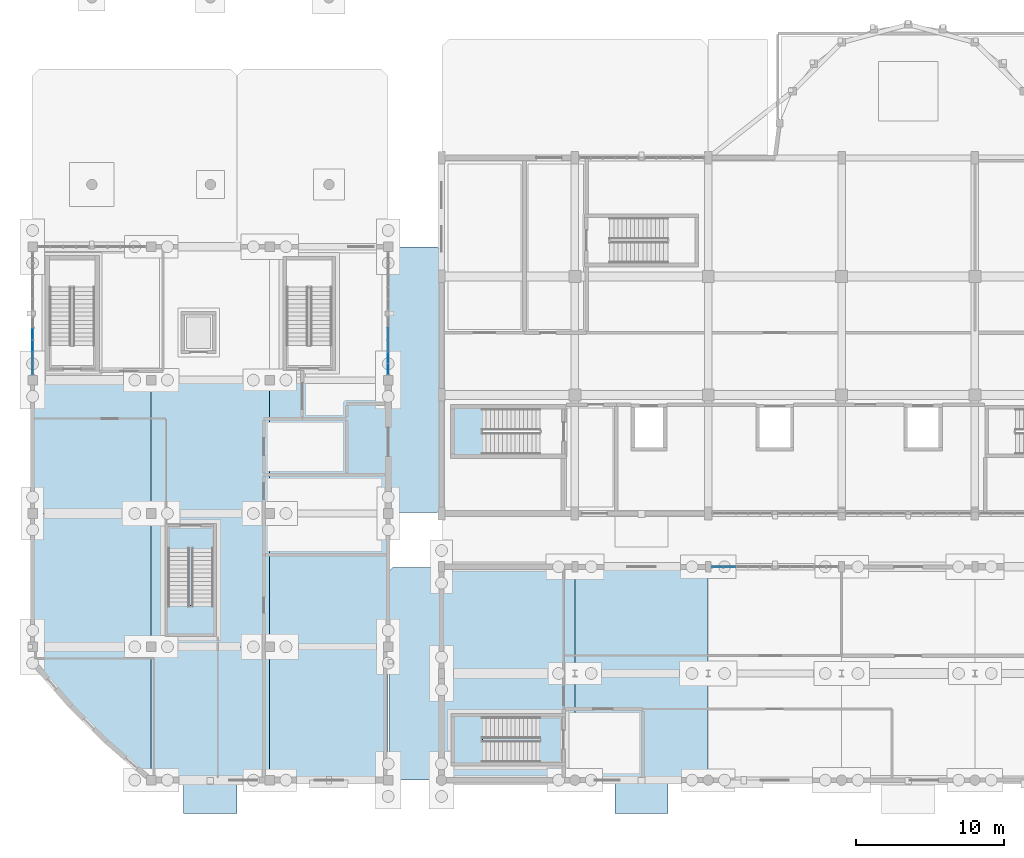
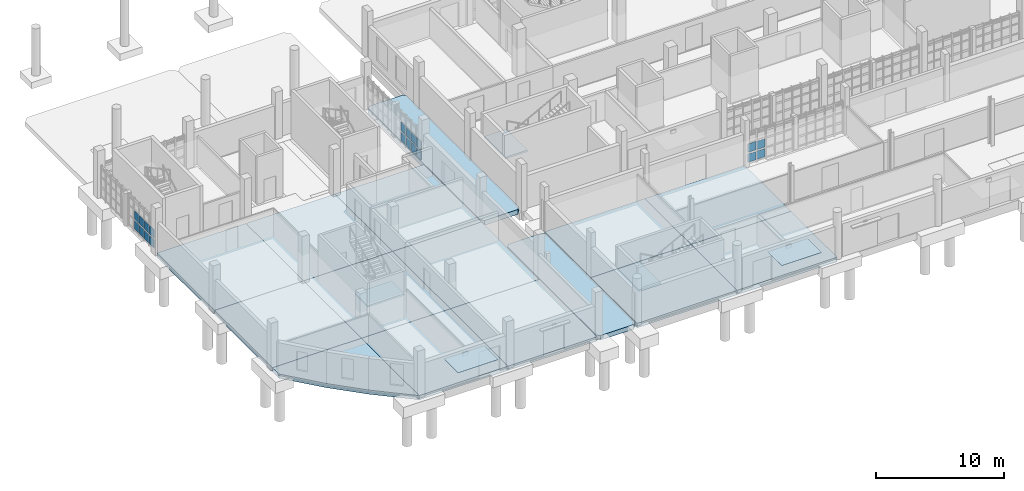
# One storey, part 29 of 63: 22 plates, 18 slabs, 6 elements without a shape of their own.
"""IFC4 building model written with IfcOpenShell, lengths in metres."""

from ifc_helpers import new_model, si_unit, direction, frame, origin, origin_2d, place, context, subcontext, project, spatial, polyline, rectangle, outline, extrude, material, layer, layer_set, type_object, element, aggregate, save


model = new_model("IFC4")

# Units and contexts
model_context = context("Model", 3, precision=1e-05, world=origin(), true_north=direction((0.0, 1.0)))
body_context = subcontext(model_context, "Body", "Model", "MODEL_VIEW")
ifc_project = project(units=[si_unit("LENGTHUNIT", "METRE"), si_unit("AREAUNIT", "SQUARE_METRE"), si_unit("VOLUMEUNIT", "CUBIC_METRE"), si_unit("PLANEANGLEUNIT", "RADIAN"), si_unit("MASSUNIT", "GRAM", prefix="KILO")], contexts=[model_context])

# Site, building, storey
site_placement = place(None, origin())
site = spatial("IfcSite", under=ifc_project, at=site_placement, CompositionType="ELEMENT")
building_placement = place(site_placement, origin())
building = spatial("IfcBuilding", under=site, at=building_placement, Name="Serraforn Aerial Cableway Station", CompositionType="ELEMENT")
storey_placement = place(building_placement, origin())
storey = spatial("IfcBuildingStorey", under=building, at=storey_placement, Name="L00", CompositionType="ELEMENT", Elevation=0.0)

# Plates
ifc_material_1 = material(Name="Patinated bronze entrance canopy soffit")
ifc_layer_1 = layer(ifc_material_1, 0.035888671875)
ifc_layer_set_1 = layer_set([ifc_layer_1], Name="Patinated bronze entrance canopy soffit")
plate_type_1 = type_object("IfcPlateType", Name="CAN-BRONZE", PredefinedType="USERDEFINED", material=ifc_layer_set_1)
for number, where, z_axis, x_axis, name in (
    (1, (12.0, -1.159912109375, 2.73193359375), (0.0, 0.0, 1.0), (1.0, 0.0, 0.0), "Bronze Art Deco Entrance Canopy 01"),
    (2, (41.10009765625, -1.159912109375, 2.73193359375), (0.0, 0.0, 1.0), (1.0, 0.0, 0.0), "Bronze Art Deco Entrance Canopy 02"),
):
    element("IfcPlate", number, at=place(storey_placement, frame(where, z_axis=z_axis, x_axis=x_axis)), inside=storey, type_object=plate_type_1, Name=name, ObjectType="CANOPY PANEL", PredefinedType="USERDEFINED", context=body_context, shape_type="SweptSolid", body=[
        extrude(rectangle(XDim=3.60009765625, YDim=2.199951171875, at=origin_2d()), origin(), (0.0, 0.0, 1.0), 0.035888671875),
    ])

# Curtain wall, plate
ifc_material_2 = material(Name="Anodised bronze unitised curtain wall")
curtain_wall_type_1 = type_object("IfcCurtainWallType", Name="CW-SYS-8", PredefinedType="USERDEFINED", material=ifc_material_2)
curtain_wall_1_placement = place(storey_placement, origin())
curtain_wall_1 = element("IfcCurtainWall", 3, at=curtain_wall_1_placement, inside=storey, type_object=curtain_wall_type_1, Name="Unitised Curtain Wall CW-W-L00-W4B", ObjectType="UNITISED CURTAIN WALL", PredefinedType="USERDEFINED")
ifc_material_3 = material(Name="Solar-control low-E double glazing", Category="glass")
ifc_layer_2 = layer(ifc_material_3, 0.028076171875)
ifc_layer_set_2 = layer_set([ifc_layer_2], Name="Solar-control low-E double glazing")
plate_type_2 = type_object("IfcPlateType", Name="CW-GLZ-2", PredefinedType="CURTAIN_PANEL", material=ifc_layer_set_2)
plate_1_placement = place(storey_placement, frame((0.0, 30.115966796875, 0.177734375), z_axis=(0.0, 0.0, 1.0), x_axis=(1.0, 0.0, 0.0)))
plate_1 = element("IfcPlate", 4, at=plate_1_placement, type_object=plate_type_2, Name="Curtain Wall Panel CW-W-L00-W4B-P2-1", PredefinedType="CURTAIN_PANEL", context=body_context, shape_type="SweptSolid", body=[
    extrude(rectangle(XDim=0.028076171875, YDim=0.73828125, at=origin_2d()), origin(), (0.0, 0.0, 1.0), 0.824951171875),
])

curtain_wall_type_2 = type_object("IfcCurtainWallType", Name="CW-SYS-9", PredefinedType="USERDEFINED", material=ifc_material_2)
curtain_wall_2_placement = place(storey_placement, origin())
curtain_wall_2 = element("IfcCurtainWall", 5, at=curtain_wall_2_placement, inside=storey, type_object=curtain_wall_type_2, Name="Unitised Curtain Wall CW-W-L00-E4A", ObjectType="UNITISED CURTAIN WALL", PredefinedType="USERDEFINED")
plate_2_placement = place(storey_placement, frame((24.0, 27.746337890625, 0.177734375), z_axis=(0.0, 0.0, 1.0), x_axis=(1.0, 0.0, 0.0)))
plate_2 = element("IfcPlate", 6, at=plate_2_placement, type_object=plate_type_2, Name="Curtain Wall Panel CW-W-L00-E4A-P1-1", PredefinedType="CURTAIN_PANEL", context=body_context, shape_type="SweptSolid", body=[
    extrude(rectangle(XDim=0.028076171875, YDim=0.700927734375, at=origin_2d()), origin(), (0.0, 0.0, 1.0), 0.824951171875),
])

# Plate
ifc_layer_3 = layer(ifc_material_3, 0.030029296875)
ifc_layer_set_3 = layer_set([ifc_layer_3], Name="Solar-control low-E double glazing")
plate_type_3 = type_object("IfcPlateType", Name="CW-GLZ-3", PredefinedType="CURTAIN_PANEL", material=ifc_layer_set_3)
plate_3_placement = place(storey_placement, frame((0.0, 30.115966796875, 1.118896484375), z_axis=(0.0, 0.0, 1.0), x_axis=(1.0, 0.0, 0.0)))
plate_3 = element("IfcPlate", 7, at=plate_3_placement, type_object=plate_type_3, Name="Curtain Wall Panel CW-W-L00-W4B-P2-2", PredefinedType="CURTAIN_PANEL", context=body_context, shape_type="SweptSolid", body=[
    extrude(rectangle(XDim=0.030029296875, YDim=0.73828125, at=origin_2d()), origin(), (0.0, 0.0, 1.0), 0.8125),
])

plate_4_placement = place(storey_placement, frame((0.0, 29.32275390625, 0.182861328125), z_axis=(0.0, 0.0, 1.0), x_axis=(1.0, 0.0, 0.0)))
plate_4 = element("IfcPlate", 8, at=plate_4_placement, type_object=plate_type_3, Name="Curtain Wall Panel CW-W-L00-W4B-P3-1", PredefinedType="CURTAIN_PANEL", context=body_context, shape_type="SweptSolid", body=[
    extrude(rectangle(XDim=0.030029296875, YDim=0.745849609375, at=origin_2d()), origin(), (0.0, 0.0, 1.0), 0.8125),
])

plate_5_placement = place(storey_placement, frame((24.0, 27.746337890625, 1.118896484375), z_axis=(0.0, 0.0, 1.0), x_axis=(1.0, 0.0, 0.0)))
plate_5 = element("IfcPlate", 9, at=plate_5_placement, type_object=plate_type_3, Name="Curtain Wall Panel CW-W-L00-E4A-P1-2", PredefinedType="CURTAIN_PANEL", context=body_context, shape_type="SweptSolid", body=[
    extrude(rectangle(XDim=0.030029296875, YDim=0.700927734375, at=origin_2d()), origin(), (0.0, 0.0, 1.0), 0.8125),
])

plate_6_placement = place(storey_placement, frame((24.0, 28.520751953125, 0.182861328125), z_axis=(0.0, 0.0, 1.0), x_axis=(1.0, 0.0, 0.0)))
plate_6 = element("IfcPlate", 10, at=plate_6_placement, type_object=plate_type_3, Name="Curtain Wall Panel CW-W-L00-E4A-P2-1", PredefinedType="CURTAIN_PANEL", context=body_context, shape_type="SweptSolid", body=[
    extrude(rectangle(XDim=0.030029296875, YDim=0.745849609375, at=origin_2d()), origin(), (0.0, 0.0, 1.0), 0.8125),
])

ifc_layer_4 = layer(ifc_material_3, 0.031982421875)
ifc_layer_set_4 = layer_set([ifc_layer_4], Name="Solar-control low-E double glazing")
plate_type_4 = type_object("IfcPlateType", Name="CW-GLZ-4", PredefinedType="CURTAIN_PANEL", material=ifc_layer_set_4)
plate_7_placement = place(storey_placement, frame((0.0, 29.32275390625, 1.1259765625), z_axis=(0.0, 0.0, 1.0), x_axis=(1.0, 0.0, 0.0)))
plate_7 = element("IfcPlate", 11, at=plate_7_placement, type_object=plate_type_4, Name="Curtain Wall Panel CW-W-L00-W4B-P3-2", PredefinedType="CURTAIN_PANEL", context=body_context, shape_type="SweptSolid", body=[
    extrude(rectangle(XDim=0.031982421875, YDim=0.745849609375, at=origin_2d()), origin(), (0.0, 0.0, 1.0), 0.797607421875),
])

plate_8_placement = place(storey_placement, frame((0.0, 28.5234375, 0.1904296875), z_axis=(0.0, 0.0, 1.0), x_axis=(1.0, 0.0, 0.0)))
plate_8 = element("IfcPlate", 12, at=plate_8_placement, type_object=plate_type_4, Name="Curtain Wall Panel CW-W-L00-W4B-P4-1", PredefinedType="CURTAIN_PANEL", context=body_context, shape_type="SweptSolid", body=[
    extrude(rectangle(XDim=0.031982421875, YDim=0.740966796875, at=origin_2d()), origin(), (0.0, 0.0, 1.0), 0.797607421875),
])

plate_9_placement = place(storey_placement, frame((24.0, 28.520751953125, 1.1259765625), z_axis=(0.0, 0.0, 1.0), x_axis=(1.0, 0.0, 0.0)))
plate_9 = element("IfcPlate", 13, at=plate_9_placement, type_object=plate_type_4, Name="Curtain Wall Panel CW-W-L00-E4A-P2-2", PredefinedType="CURTAIN_PANEL", context=body_context, shape_type="SweptSolid", body=[
    extrude(rectangle(XDim=0.031982421875, YDim=0.745849609375, at=origin_2d()), origin(), (0.0, 0.0, 1.0), 0.797607421875),
])

plate_10_placement = place(storey_placement, frame((24.0, 29.3203125, 0.1904296875), z_axis=(0.0, 0.0, 1.0), x_axis=(1.0, 0.0, 0.0)))
plate_10 = element("IfcPlate", 14, at=plate_10_placement, type_object=plate_type_4, Name="Curtain Wall Panel CW-W-L00-E4A-P3-1", PredefinedType="CURTAIN_PANEL", context=body_context, shape_type="SweptSolid", body=[
    extrude(rectangle(XDim=0.031982421875, YDim=0.740966796875, at=origin_2d()), origin(), (0.0, 0.0, 1.0), 0.797607421875),
])

# Curtain wall, plate
curtain_wall_type_3 = type_object("IfcCurtainWallType", Name="CW-SYS-20", PredefinedType="USERDEFINED", material=ifc_material_2)
curtain_wall_3_placement = place(storey_placement, origin())
curtain_wall_3 = element("IfcCurtainWall", 15, at=curtain_wall_3_placement, inside=storey, type_object=curtain_wall_type_3, Name="Unitised Curtain Wall CW-CF-L00-N3B", ObjectType="UNITISED CURTAIN WALL", PredefinedType="USERDEFINED")
plate_11_placement = place(storey_placement, frame((47.035888671875, 14.39990234375, 0.1904296875), z_axis=(0.0, 0.0, 1.0), x_axis=(1.0, 0.0, 0.0)))
plate_11 = element("IfcPlate", 16, at=plate_11_placement, type_object=plate_type_4, Name="Curtain Wall Panel CW-CF-L00-N3B-P4-1", PredefinedType="CURTAIN_PANEL", context=body_context, shape_type="SweptSolid", body=[
    extrude(rectangle(XDim=0.765869140625, YDim=0.031982421875, at=origin_2d()), origin(), (0.0, 0.0, 1.0), 0.797607421875),
])

# Plate
ifc_layer_5 = layer(ifc_material_3, 0.033935546875)
ifc_layer_set_5 = layer_set([ifc_layer_5], Name="Solar-control low-E double glazing")
plate_type_5 = type_object("IfcPlateType", Name="CW-GLZ-5", PredefinedType="CURTAIN_PANEL", material=ifc_layer_set_5)
plate_12_placement = place(storey_placement, frame((0.0, 28.5234375, 1.1337890625), z_axis=(0.0, 0.0, 1.0), x_axis=(1.0, 0.0, 0.0)))
plate_12 = element("IfcPlate", 17, at=plate_12_placement, type_object=plate_type_5, Name="Curtain Wall Panel CW-W-L00-W4B-P4-2", PredefinedType="CURTAIN_PANEL", context=body_context, shape_type="SweptSolid", body=[
    extrude(rectangle(XDim=0.033935546875, YDim=0.740966796875, at=origin_2d()), origin(), (0.0, 0.0, 1.0), 0.782470703125),
])

plate_13_placement = place(storey_placement, frame((0.0, 27.741455078125, 0.19775390625), z_axis=(0.0, 0.0, 1.0), x_axis=(1.0, 0.0, 0.0)))
plate_13 = element("IfcPlate", 18, at=plate_13_placement, type_object=plate_type_5, Name="Curtain Wall Panel CW-W-L00-W4B-P5-1", PredefinedType="CURTAIN_PANEL", context=body_context, shape_type="SweptSolid", body=[
    extrude(rectangle(XDim=0.033935546875, YDim=0.700927734375, at=origin_2d()), origin(), (0.0, 0.0, 1.0), 0.782470703125),
])

plate_14_placement = place(storey_placement, frame((24.0, 29.3203125, 1.1337890625), z_axis=(0.0, 0.0, 1.0), x_axis=(1.0, 0.0, 0.0)))
plate_14 = element("IfcPlate", 19, at=plate_14_placement, type_object=plate_type_5, Name="Curtain Wall Panel CW-W-L00-E4A-P3-2", PredefinedType="CURTAIN_PANEL", context=body_context, shape_type="SweptSolid", body=[
    extrude(rectangle(XDim=0.033935546875, YDim=0.740966796875, at=origin_2d()), origin(), (0.0, 0.0, 1.0), 0.782470703125),
])

plate_15_placement = place(storey_placement, frame((24.0, 30.11962890625, 0.19775390625), z_axis=(0.0, 0.0, 1.0), x_axis=(1.0, 0.0, 0.0)))
plate_15 = element("IfcPlate", 20, at=plate_15_placement, type_object=plate_type_5, Name="Curtain Wall Panel CW-W-L00-E4A-P4-1", PredefinedType="CURTAIN_PANEL", context=body_context, shape_type="SweptSolid", body=[
    extrude(rectangle(XDim=0.033935546875, YDim=0.73583984375, at=origin_2d()), origin(), (0.0, 0.0, 1.0), 0.782470703125),
])

plate_16_placement = place(storey_placement, frame((47.035888671875, 14.39990234375, 1.1337890625), z_axis=(0.0, 0.0, 1.0), x_axis=(1.0, 0.0, 0.0)))
plate_16 = element("IfcPlate", 21, at=plate_16_placement, type_object=plate_type_5, Name="Curtain Wall Panel CW-CF-L00-N3B-P4-2", PredefinedType="CURTAIN_PANEL", context=body_context, shape_type="SweptSolid", body=[
    extrude(rectangle(XDim=0.765869140625, YDim=0.033935546875, at=origin_2d()), origin(), (0.0, 0.0, 1.0), 0.782470703125),
])

plate_17_placement = place(storey_placement, frame((46.22900390625, 14.39990234375, 0.19775390625), z_axis=(0.0, 0.0, 1.0), x_axis=(1.0, 0.0, 0.0)))
plate_17 = element("IfcPlate", 22, at=plate_17_placement, type_object=plate_type_5, Name="Curtain Wall Panel CW-CF-L00-N3B-P5-1", PredefinedType="CURTAIN_PANEL", context=body_context, shape_type="SweptSolid", body=[
    extrude(rectangle(XDim=0.725830078125, YDim=0.033935546875, at=origin_2d()), origin(), (0.0, 0.0, 1.0), 0.782470703125),
])

ifc_layer_6 = layer(ifc_material_3, 0.035888671875)
ifc_layer_set_6 = layer_set([ifc_layer_6], Name="Solar-control low-E double glazing")
plate_type_6 = type_object("IfcPlateType", Name="CW-GLZ-6", PredefinedType="CURTAIN_PANEL", material=ifc_layer_set_6)
plate_18_placement = place(storey_placement, frame((0.0, 27.741455078125, 1.14111328125), z_axis=(0.0, 0.0, 1.0), x_axis=(1.0, 0.0, 0.0)))
plate_18 = element("IfcPlate", 23, at=plate_18_placement, type_object=plate_type_6, Name="Curtain Wall Panel CW-W-L00-W4B-P5-2", PredefinedType="CURTAIN_PANEL", context=body_context, shape_type="SweptSolid", body=[
    extrude(rectangle(XDim=0.035888671875, YDim=0.700927734375, at=origin_2d()), origin(), (0.0, 0.0, 1.0), 0.802490234375),
])

aggregate(curtain_wall_1, [plate_1, plate_3, plate_4, plate_7, plate_8, plate_12, plate_13, plate_18])

plate_19_placement = place(storey_placement, frame((24.0, 30.11962890625, 1.14111328125), z_axis=(0.0, 0.0, 1.0), x_axis=(1.0, 0.0, 0.0)))
plate_19 = element("IfcPlate", 24, at=plate_19_placement, type_object=plate_type_6, Name="Curtain Wall Panel CW-W-L00-E4A-P4-2", PredefinedType="CURTAIN_PANEL", context=body_context, shape_type="SweptSolid", body=[
    extrude(rectangle(XDim=0.035888671875, YDim=0.73583984375, at=origin_2d()), origin(), (0.0, 0.0, 1.0), 0.802490234375),
])

aggregate(curtain_wall_2, [plate_2, plate_5, plate_6, plate_9, plate_10, plate_14, plate_15, plate_19])

plate_20_placement = place(storey_placement, frame((46.22900390625, 14.39990234375, 1.14111328125), z_axis=(0.0, 0.0, 1.0), x_axis=(1.0, 0.0, 0.0)))
plate_20 = element("IfcPlate", 25, at=plate_20_placement, type_object=plate_type_6, Name="Curtain Wall Panel CW-CF-L00-N3B-P5-2", PredefinedType="CURTAIN_PANEL", context=body_context, shape_type="SweptSolid", body=[
    extrude(rectangle(XDim=0.725830078125, YDim=0.035888671875, at=origin_2d()), origin(), (0.0, 0.0, 1.0), 0.802490234375),
])

aggregate(curtain_wall_3, [plate_11, plate_16, plate_17, plate_20])

# Slabs
ifc_material_4 = material(Name="Concrete C35/45", Category="concrete")
ifc_layer_7 = layer(ifc_material_4, 0.39990234375)
ifc_layer_set_7 = layer_set([ifc_layer_7], Name="Concrete C35/45")
slab_type_1 = type_object("IfcSlabType", Name="SLB-BASE-400", PredefinedType="BASESLAB", material=ifc_layer_set_7)
slab_1_placement = place(storey_placement, frame((0.0, 0.0, -0.39990234375)))
element("IfcSlab", 26, at=slab_1_placement, inside=storey, type_object=slab_type_1, Name="Floor Slab W-L00-1-1", PredefinedType="BASESLAB", context=body_context, shape_type="SweptSolid", body=[
    extrude(outline(polyline([(8.0, 0.0), (8.0, 0.0), (8.0, 9.0), (0.0, 9.0), (0.0, 8.0), (2.60009765625, 5.0), (5.0, 2.60009765625), (8.0, 0.0)])), origin(), (0.0, 0.0, 1.0), 0.39990234375),
])
slab_2_placement = place(storey_placement, frame((0.0, 0.0, -0.39990234375)))
element("IfcSlab", 27, at=slab_2_placement, inside=storey, type_object=slab_type_1, Name="Floor Slab W-L00-1-2", PredefinedType="BASESLAB", context=body_context, shape_type="SweptSolid", body=[
    extrude(outline(polyline([(0.0, 9.0), (8.0, 9.0), (8.0, 18.0), (0.0, 18.0), (0.0, 9.0)])), origin(), (0.0, 0.0, 1.0), 0.39990234375),
])
slab_3_placement = place(storey_placement, frame((0.0, 0.0, -0.39990234375)))
element("IfcSlab", 28, at=slab_3_placement, inside=storey, type_object=slab_type_1, Name="Floor Slab W-L00-1-3", PredefinedType="BASESLAB", context=body_context, shape_type="SweptSolid", body=[
    extrude(outline(polyline([(0.0, 18.0), (8.0, 18.0), (8.0, 27.0), (0.0, 27.0), (0.0, 18.0)])), origin(), (0.0, 0.0, 1.0), 0.39990234375),
])
slab_4_placement = place(storey_placement, frame((0.0, 0.0, -0.39990234375)))
element("IfcSlab", 29, at=slab_4_placement, inside=storey, type_object=slab_type_1, Name="Floor Slab W-L00-2-1", PredefinedType="BASESLAB", context=body_context, shape_type="SweptSolid", body=[
    extrude(outline(polyline([(8.0, 0.0), (16.0, 0.0), (16.0, 9.0), (8.0, 9.0), (8.0, 0.0)])), origin(), (0.0, 0.0, 1.0), 0.39990234375),
])
slab_5_placement = place(storey_placement, frame((0.0, 0.0, -0.39990234375)))
element("IfcSlab", 30, at=slab_5_placement, inside=storey, type_object=slab_type_1, Name="Floor Slab W-L00-2-2", PredefinedType="BASESLAB", context=body_context, shape_type="SweptSolid", body=[
    extrude(outline(polyline([(8.0, 9.0), (16.0, 9.0), (16.0, 18.0), (8.0, 18.0), (8.0, 9.0)])), origin(), (0.0, 0.0, 1.0), 0.39990234375),
])
slab_6_placement = place(storey_placement, frame((0.0, 0.0, -0.39990234375)))
element("IfcSlab", 31, at=slab_6_placement, inside=storey, type_object=slab_type_1, Name="Floor Slab W-L00-2-3", PredefinedType="BASESLAB", context=body_context, shape_type="SweptSolid", body=[
    extrude(outline(polyline([(8.0, 18.0), (16.0, 18.0), (16.0, 27.0), (8.0, 27.0), (8.0, 18.0)])), origin(), (0.0, 0.0, 1.0), 0.39990234375),
])
slab_7_placement = place(storey_placement, frame((0.0, 0.0, -0.39990234375)))
element("IfcSlab", 32, at=slab_7_placement, inside=storey, type_object=slab_type_1, Name="Floor Slab W-L00-3-1", PredefinedType="BASESLAB", context=body_context, shape_type="SweptSolid", body=[
    extrude(outline(polyline([(16.0, 0.0), (24.0, 0.0), (24.0, 9.0), (16.0, 9.0), (16.0, 0.0)])), origin(), (0.0, 0.0, 1.0), 0.39990234375),
])
slab_8_placement = place(storey_placement, frame((0.0, 0.0, -0.39990234375)))
element("IfcSlab", 33, at=slab_8_placement, inside=storey, type_object=slab_type_1, Name="Floor Slab W-L00-3-2", PredefinedType="BASESLAB", context=body_context, shape_type="SweptSolid", body=[
    extrude(outline(polyline([(16.0, 9.0), (24.0, 9.0), (24.0, 18.0), (16.0, 18.0), (16.0, 9.0)])), origin(), (0.0, 0.0, 1.0), 0.39990234375),
])
slab_9_placement = place(storey_placement, frame((0.0, 0.0, -0.39990234375)))
element("IfcSlab", 34, at=slab_9_placement, inside=storey, type_object=slab_type_1, Name="Floor Slab W-L00-3-3", PredefinedType="BASESLAB", context=body_context, shape_type="SweptSolid", body=[
    extrude(outline(polyline([(16.0, 18.0), (24.0, 18.0), (24.0, 27.0), (16.0, 27.0), (16.0, 18.0)])), origin(), (0.0, 0.0, 1.0), 0.39990234375),
])
ifc_layer_8 = layer(ifc_material_4, 0.419921875)
ifc_layer_set_8 = layer_set([ifc_layer_8], Name="Concrete C35/45")
slab_type_2 = type_object("IfcSlabType", Name="SLB-BASE-420", PredefinedType="BASESLAB", material=ifc_layer_set_8)
slab_10_placement = place(storey_placement, frame((0.0, 0.0, -0.419921875)))
element("IfcSlab", 35, at=slab_10_placement, inside=storey, type_object=slab_type_2, Name="Floor Slab CF-L00-1-1", PredefinedType="BASESLAB", context=body_context, shape_type="SweptSolid", body=[
    extrude(outline(polyline([(27.60009765625, 0.0), (36.60009765625, 0.0), (36.60009765625, 7.199951171875), (27.60009765625, 7.199951171875), (27.60009765625, 0.0)])), origin(), (0.0, 0.0, 1.0), 0.419921875),
])
slab_11_placement = place(storey_placement, frame((0.0, 0.0, -0.419921875)))
element("IfcSlab", 36, at=slab_11_placement, inside=storey, type_object=slab_type_2, Name="Floor Slab CF-L00-1-2", PredefinedType="BASESLAB", context=body_context, shape_type="SweptSolid", body=[
    extrude(outline(polyline([(27.60009765625, 7.199951171875), (36.60009765625, 7.199951171875), (36.60009765625, 14.39990234375), (27.60009765625, 14.39990234375), (27.60009765625, 7.199951171875)])), origin(), (0.0, 0.0, 1.0), 0.419921875),
])
slab_12_placement = place(storey_placement, frame((0.0, 0.0, -0.419921875)))
element("IfcSlab", 37, at=slab_12_placement, inside=storey, type_object=slab_type_2, Name="Floor Slab CF-L00-2-1", PredefinedType="BASESLAB", context=body_context, shape_type="SweptSolid", body=[
    extrude(outline(polyline([(36.60009765625, 0.0), (45.60009765625, 0.0), (45.60009765625, 7.199951171875), (36.60009765625, 7.199951171875), (36.60009765625, 0.0)])), origin(), (0.0, 0.0, 1.0), 0.419921875),
])
slab_13_placement = place(storey_placement, frame((0.0, 0.0, -0.419921875)))
element("IfcSlab", 38, at=slab_13_placement, inside=storey, type_object=slab_type_2, Name="Floor Slab CF-L00-2-2", PredefinedType="BASESLAB", context=body_context, shape_type="SweptSolid", body=[
    extrude(outline(polyline([(36.60009765625, 7.199951171875), (45.60009765625, 7.199951171875), (45.60009765625, 14.39990234375), (36.60009765625, 14.39990234375), (36.60009765625, 7.199951171875)])), origin(), (0.0, 0.0, 1.0), 0.419921875),
])

# Stair, slab
stair_type_1 = type_object("IfcStairType", Name="STR-DL-3", PredefinedType="HALF_TURN_STAIR", material=ifc_material_4)
stair_1_placement = place(storey_placement, origin())
stair_1 = element("IfcStair", 39, at=stair_1_placement, inside=storey, type_object=stair_type_1, Name="L00 West Wing South Concourse Stair 12", PredefinedType="HALF_TURN_STAIR")
ifc_layer_9 = layer(ifc_material_4, 0.159912109375)
ifc_layer_set_9 = layer_set([ifc_layer_9], Name="Concrete C35/45")
slab_type_3 = type_object("IfcSlabType", Name="SLB-LND-160", PredefinedType="LANDING", material=ifc_layer_set_9)
slab_14_placement = place(storey_placement, frame((0.0, 0.0, 2.090087890625)))
slab_14 = element("IfcSlab", 40, at=slab_14_placement, type_object=slab_type_3, Name="ST-12 landing 1", PredefinedType="LANDING", context=body_context, shape_type="SweptSolid", body=[
    extrude(outline(polyline([(9.02001953125, 11.780029296875), (9.02001953125, 9.780029296875), (12.320068359375, 9.780029296875), (12.320068359375, 11.780029296875), (9.02001953125, 11.780029296875)])), origin(), (0.0, 0.0, 1.0), 0.159912109375),
])
aggregate(stair_1, [slab_14])

stair_type_2 = type_object("IfcStairType", Name="STR-DL-1", PredefinedType="HALF_TURN_STAIR", material=ifc_material_4)
stair_2_placement = place(storey_placement, origin())
stair_2 = element("IfcStair", 41, at=stair_2_placement, inside=storey, type_object=stair_type_2, Name="L00 Vault West Protected Exit Stair 3", PredefinedType="HALF_TURN_STAIR")
slab_15_placement = place(storey_placement, frame((0.0, 0.0, 2.090087890625)))
slab_15 = element("IfcSlab", 42, at=slab_15_placement, type_object=slab_type_3, Name="ST-03 landing 1", PredefinedType="LANDING", context=body_context, shape_type="SweptSolid", body=[
    extrude(outline(polyline([(30.3798828125, 25.179931640625), (28.3798828125, 25.179931640625), (28.3798828125, 21.8798828125), (30.3798828125, 21.8798828125), (30.3798828125, 25.179931640625)])), origin(), (0.0, 0.0, 1.0), 0.159912109375),
])
aggregate(stair_2, [slab_15])

stair_type_3 = type_object("IfcStairType", Name="STR-DL-2", PredefinedType="HALF_TURN_STAIR", material=ifc_material_4)
stair_3_placement = place(storey_placement, origin())
stair_3 = element("IfcStair", 43, at=stair_3_placement, inside=storey, type_object=stair_type_3, Name="L00 Ticket Concourse Grand Stair 6", PredefinedType="HALF_TURN_STAIR")
slab_16_placement = place(storey_placement, frame((0.0, 0.0, 2.090087890625)))
slab_16 = element("IfcSlab", 44, at=slab_16_placement, type_object=slab_type_3, Name="ST-06 landing 1", PredefinedType="LANDING", context=body_context, shape_type="SweptSolid", body=[
    extrude(outline(polyline([(30.3798828125, 4.3798828125), (28.3798828125, 4.3798828125), (28.3798828125, 1.080078125), (30.3798828125, 1.080078125), (30.3798828125, 4.3798828125)])), origin(), (0.0, 0.0, 1.0), 0.159912109375),
])
aggregate(stair_3, [slab_16])

# Slabs
ifc_layer_10 = layer(ifc_material_4, 0.43505859375)
ifc_layer_set_10 = layer_set([ifc_layer_10], Name="Concrete C35/45")
slab_type_4 = type_object("IfcSlabType", Name="SLB-PLZ-435", PredefinedType="FLOOR", material=ifc_layer_set_10)
slab_17_placement = place(storey_placement, frame((0.0, 0.0, -0.43505859375)))
element("IfcSlab", 45, at=slab_17_placement, inside=storey, type_object=slab_type_4, Name="Forecourt and Cloister Colonnade Terrace PLZ-W-01A", PredefinedType="FLOOR", context=body_context, shape_type="SweptSolid", body=[
    extrude(outline(polyline([(24.300048828125, 0.0), (27.300048828125, 0.0), (27.550048828125, 0.25), (27.550048828125, 14.10009765625), (27.300048828125, 14.35009765625), (24.300048828125, 14.35009765625), (24.050048828125, 14.10009765625), (24.050048828125, 0.25), (24.300048828125, 0.0)])), origin(), (0.0, 0.0, 1.0), 0.43505859375),
])
ifc_layer_11 = layer(ifc_material_4, 0.465087890625)
ifc_layer_set_11 = layer_set([ifc_layer_11], Name="Concrete C35/45")
slab_type_5 = type_object("IfcSlabType", Name="SLB-PLZ-465", PredefinedType="FLOOR", material=ifc_layer_set_11)
slab_18_placement = place(storey_placement, frame((0.0, 0.0, -0.465087890625)))
element("IfcSlab", 46, at=slab_18_placement, inside=storey, type_object=slab_type_5, Name="Forecourt and Cloister Colonnade Terrace PLZ-W-01B", PredefinedType="FLOOR", context=body_context, shape_type="SweptSolid", body=[
    extrude(outline(polyline([(24.300048828125, 18.050048828125), (27.300048828125, 18.050048828125), (27.550048828125, 18.300048828125), (27.550048828125, 35.75), (27.300048828125, 36.0), (24.300048828125, 36.0), (24.050048828125, 35.75), (24.050048828125, 18.300048828125), (24.300048828125, 18.050048828125)])), origin(), (0.0, 0.0, 1.0), 0.465087890625),
])

save(model, "model.ifc")
